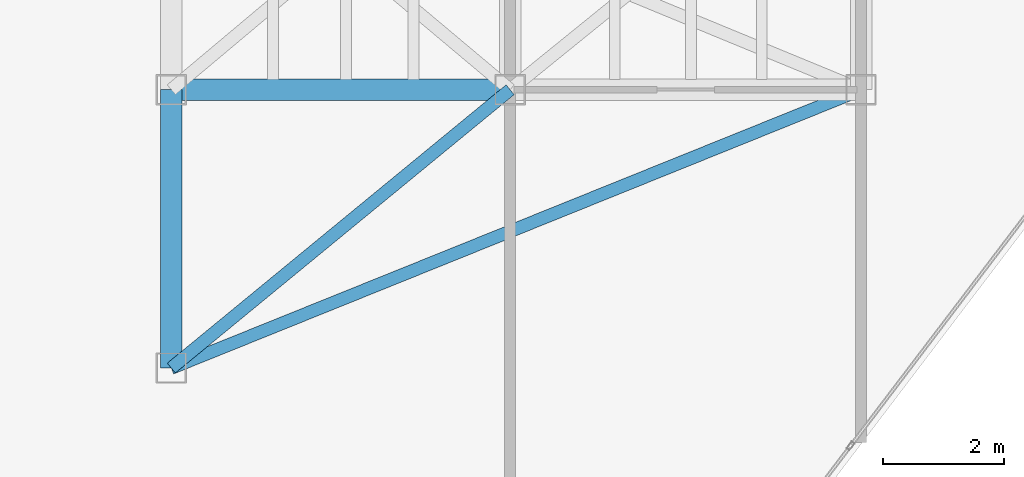
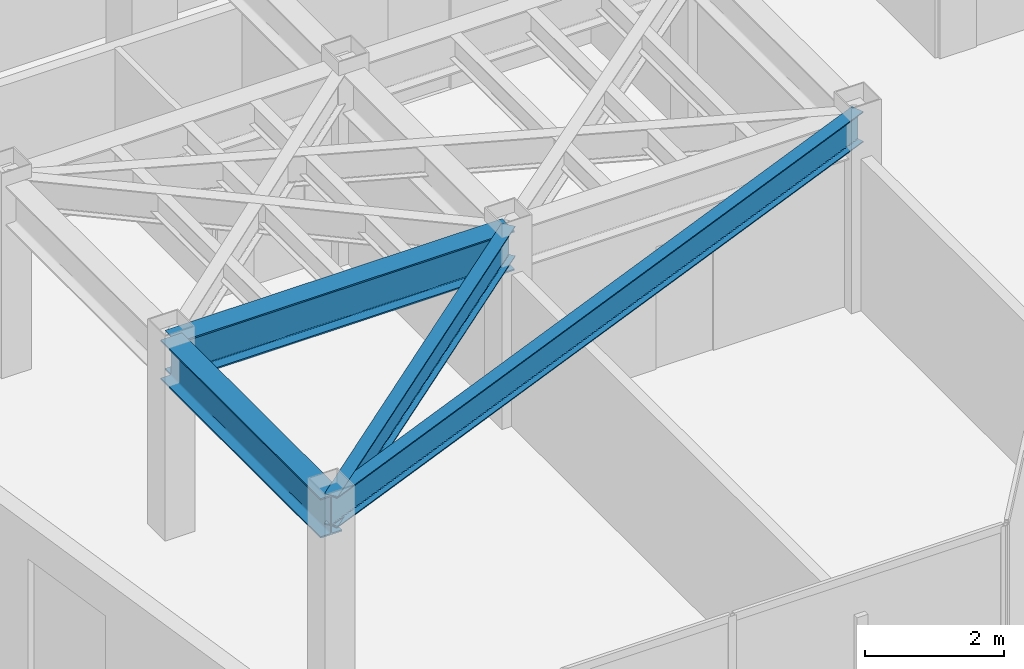
# One storey, part 3 of 21: 4 beams.
"""IFC4 building model written with IfcOpenShell, lengths in metres."""

from ifc_helpers import new_model, si_unit, direction, frame, origin, origin_2d, place, context, subcontext, project, spatial, i_section, extrude, material, material_profile, profile_set, type_object, element, save


model = new_model("IFC4")

# Units and contexts
model_context = context("Model", 3, precision=1e-05, world=origin(), true_north=direction((0.0, 1.0)))
body_context = subcontext(model_context, "Body", "Model", "MODEL_VIEW")
ifc_project = project(units=[si_unit("LENGTHUNIT", "METRE"), si_unit("AREAUNIT", "SQUARE_METRE"), si_unit("VOLUMEUNIT", "CUBIC_METRE"), si_unit("PLANEANGLEUNIT", "RADIAN"), si_unit("MASSUNIT", "GRAM", prefix="KILO")], contexts=[model_context])

# Site, building, storey
site_placement = place(None, origin())
site = spatial("IfcSite", under=ifc_project, at=site_placement, CompositionType="ELEMENT")
building_placement = place(site_placement, origin())
building = spatial("IfcBuilding", under=site, at=building_placement, Name="Kravanh Interchange Tower", CompositionType="ELEMENT")
storey_placement = place(building_placement, frame((0.0, 0.0, 231.0)))
storey = spatial("IfcBuildingStorey", under=building, at=storey_placement, Name="L55", CompositionType="ELEMENT", Elevation=231.0)

# Beams
ifc_material_1 = material(Name="Structural Steel S355", Category="steel")
ifc_material_profile_1 = material_profile(ifc_material_1, i_section(OverallWidth=0.35498046875, OverallDepth=0.696044921875, WebThickness=0.015380859375, FlangeThickness=0.02490234375, FilletRadius=0.02392578125, at=origin_2d()), Name="W27X146")
ifc_profile_set_1 = profile_set([ifc_material_profile_1], Name="Structural Steel S355")
beam_type_1 = type_object("IfcBeamType", Name="Floor Beam W27X146 Structural Steel S355", PredefinedType="BEAM", material=ifc_profile_set_1)
beam_1_placement = place(storey_placement, frame((27.199951171875, 22.199951171875, 3.011962890625), z_axis=(0.0, 1.0, 0.0), x_axis=(-1.0, 0.0, 0.0)))
element("IfcBeam", 1, at=beam_1_placement, inside=storey, type_object=beam_type_1, Name="L55 Primary Floor Girder 40", PredefinedType="BEAM", context=body_context, shape_type="SweptSolid", body=[
    extrude(i_section(OverallWidth=0.35498046875, OverallDepth=0.696044921875, WebThickness=0.015380859375, FlangeThickness=0.02490234375, FilletRadius=0.02392578125, at=origin_2d()), origin(), (0.0, 0.0, 1.0), 4.60009765625),
])
beam_2_placement = place(storey_placement, frame((27.199951171875, 26.800048828125, 3.011962890625), z_axis=(1.0, 0.0, 0.0), x_axis=(0.0, 1.0, 0.0)))
element("IfcBeam", 2, at=beam_2_placement, inside=storey, type_object=beam_type_1, Name="L55 Primary Floor Girder 42", PredefinedType="BEAM", context=body_context, shape_type="SweptSolid", body=[
    extrude(i_section(OverallWidth=0.35498046875, OverallDepth=0.696044921875, WebThickness=0.015380859375, FlangeThickness=0.02490234375, FilletRadius=0.02392578125, at=origin_2d()), origin(), (0.0, 0.0, 1.0), 5.60009765625),
])
ifc_material_2 = material(Name="Structural Steel S355", Category="steel")
ifc_material_profile_2 = material_profile(ifc_material_2, i_section(OverallWidth=0.2099609375, OverallDepth=0.537109375, WebThickness=0.010986328125, FlangeThickness=0.017333984375, FilletRadius=0.02001953125, at=origin_2d()), Name="W21X68")
ifc_profile_set_2 = profile_set([ifc_material_profile_2], Name="Structural Steel S355")
beam_type_2 = type_object("IfcBeamType", Name="Floor Spandrel W21X68 Structural Steel S355", PredefinedType="SPANDREL", material=ifc_profile_set_2)
beam_3_placement = place(storey_placement, frame((38.60009765625, 26.800048828125, 3.091552734375), z_axis=(-0.927349344428, -0.374196730864, 0.0), x_axis=(0.374196730864, -0.927349344428, 0.0)))
element("IfcBeam", 3, at=beam_3_placement, inside=storey, type_object=beam_type_2, Name="L55 Perimeter Spandrel 30", PredefinedType="SPANDREL", context=body_context, shape_type="SweptSolid", body=[
    extrude(i_section(OverallWidth=0.2099609375, OverallDepth=0.537109375, WebThickness=0.010986328125, FlangeThickness=0.017333984375, FilletRadius=0.02001953125, at=origin_2d()), origin(), (0.0, 0.0, 1.0), 12.293212890625),
])
beam_4_placement = place(storey_placement, frame((27.199951171875, 22.199951171875, 3.091552734375), z_axis=(0.772725074305, 0.634740860147, 0.0), x_axis=(-0.634740860147, 0.772725074305, 0.0)))
element("IfcBeam", 4, at=beam_4_placement, inside=storey, type_object=beam_type_2, Name="L55 Perimeter Spandrel 41", PredefinedType="SPANDREL", context=body_context, shape_type="SweptSolid", body=[
    extrude(i_section(OverallWidth=0.2099609375, OverallDepth=0.537109375, WebThickness=0.010986328125, FlangeThickness=0.017333984375, FilletRadius=0.02001953125, at=origin_2d()), origin(), (0.0, 0.0, 1.0), 7.247314453125),
])

save(model, "model.ifc")
